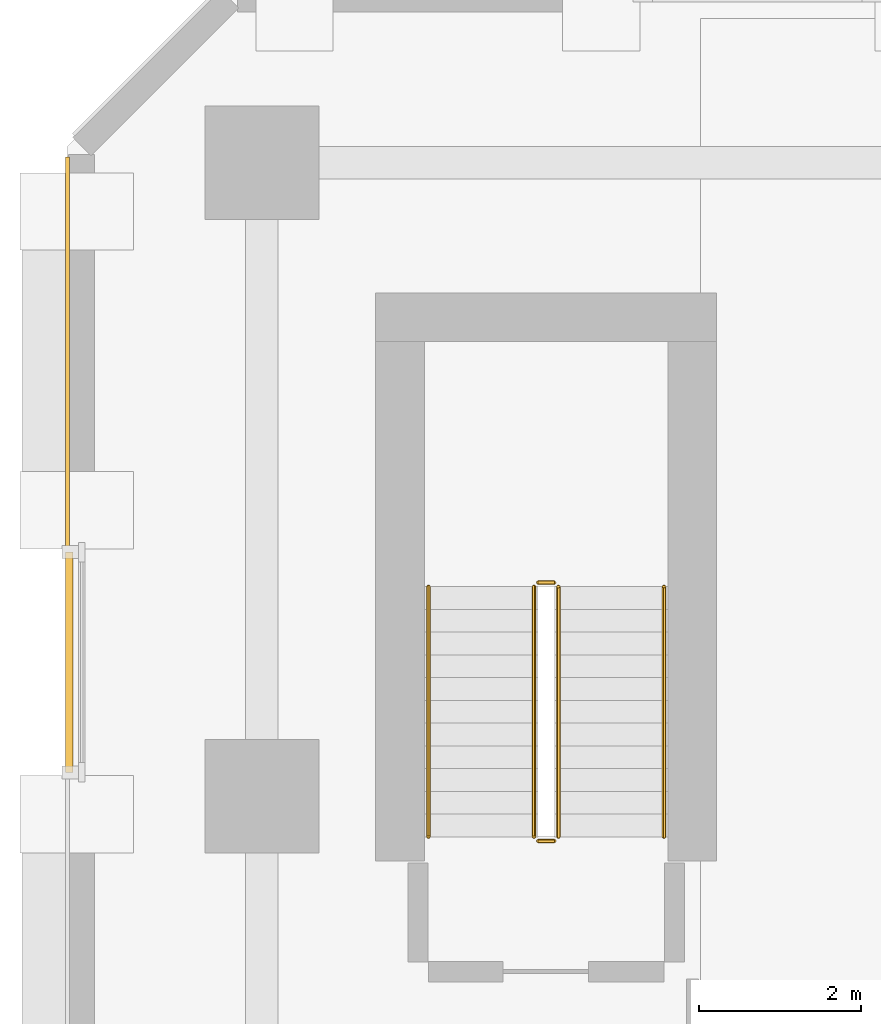
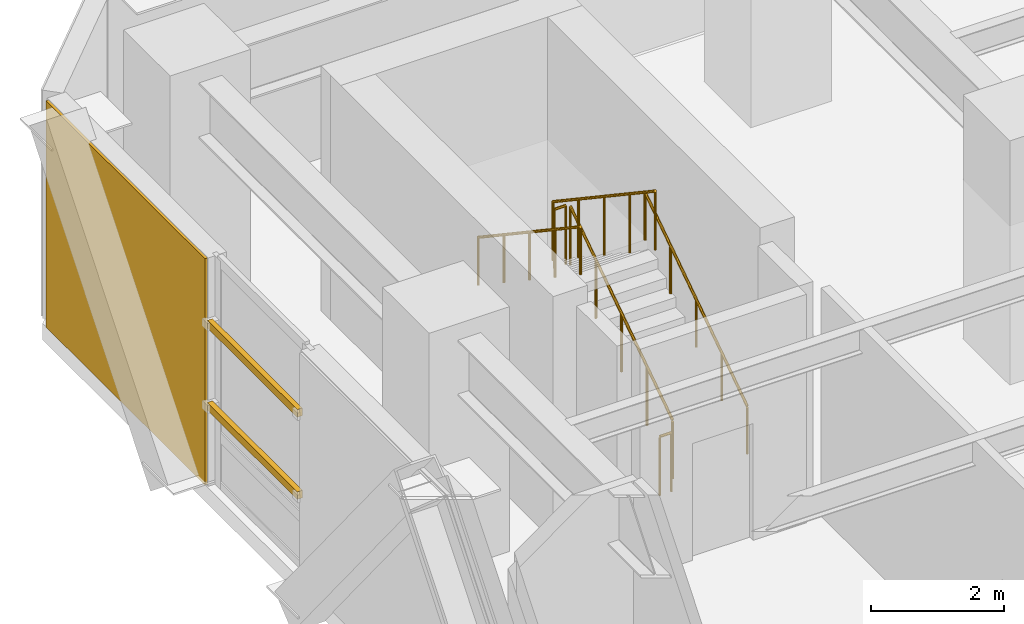
# One storey, part 24 of 26: 6 railings, 2 shading devices, 1 covering.
"""IFC4 building model written with IfcOpenShell, lengths in metres."""

from ifc_helpers import new_model, si_unit, direction, frame, origin, origin_2d, place, context, subcontext, project, spatial, polyline, rectangle, circle, outline, extrude, material, layer, layer_set, material_profile, profile_set, type_object, element, save


model = new_model("IFC4")

# Units and contexts
model_context = context("Model", 3, precision=1e-05, world=origin(), true_north=direction((0.0, 1.0)))
body_context = subcontext(model_context, "Body", "Model", "MODEL_VIEW")
ifc_project = project(units=[si_unit("LENGTHUNIT", "METRE"), si_unit("AREAUNIT", "SQUARE_METRE"), si_unit("VOLUMEUNIT", "CUBIC_METRE"), si_unit("PLANEANGLEUNIT", "RADIAN"), si_unit("MASSUNIT", "GRAM", prefix="KILO")], contexts=[model_context])

# Site, building, storey
site_placement = place(None, origin())
site = spatial("IfcSite", under=ifc_project, at=site_placement, CompositionType="ELEMENT")
building_placement = place(site_placement, origin())
building = spatial("IfcBuilding", under=site, at=building_placement, Name="Quenlor Broadcast Tower", CompositionType="ELEMENT")
storey_placement = place(building_placement, frame((0.0, 0.0, 14.0)))
storey = spatial("IfcBuildingStorey", under=building, at=storey_placement, Name="L03", CompositionType="ELEMENT", Elevation=14.0)

# Shading devices
ifc_material_1 = material(Name="Architectural Terracotta Ceramic", Category="masonry")
ifc_material_profile = material_profile(ifc_material_1, rectangle(XDim=0.090087890625, YDim=0.139892578125, at=origin_2d()))
ifc_profile_set = profile_set([ifc_material_profile], Name="Architectural Terracotta Ceramic BAG90x140")
shading_device_type = type_object("IfcShadingDeviceType", Name="Copper Terracotta Baguette Solar Screen 140", PredefinedType="USERDEFINED", material=ifc_profile_set)
for number, where, z_axis, x_axis, name in (
    (1, (-36.972900390625, 15.293701171875, 1.511962890625), (0.0, 1.0, 0.0), (-1.0, 0.0, 0.0), "L03 Terracotta Baguette Screen 1"),
    (2, (-36.972900390625, 15.293701171875, 3.02392578125), (0.0, 1.0, 0.0), (-1.0, 0.0, 0.0), "L03 Terracotta Baguette Screen 2"),
):
    element("IfcShadingDevice", number, at=place(storey_placement, frame(where, z_axis=z_axis, x_axis=x_axis)), inside=storey, type_object=shading_device_type, Name=name, ObjectType="BAGUETTE", PredefinedType="USERDEFINED", context=body_context, shape_type="SweptSolid", body=[
        extrude(rectangle(XDim=0.090087890625, YDim=0.139892578125, at=origin_2d()), origin(), (0.0, 0.0, 1.0), 2.712646484375),
    ])

# Covering
ifc_material_2 = material(Name="Architectural Terracotta Ceramic", Category="masonry")
ifc_layer = layer(ifc_material_2, 0.044921875)
ifc_layer_set = layer_set([ifc_layer], Name="Fluted Terracotta Rainscreen Cladding Panel")
covering_type = type_object("IfcCoveringType", Name="Fluted Terracotta Rainscreen Cladding Panel", PredefinedType="CLADDING", material=ifc_layer_set)
covering_placement = place(storey_placement, frame((0.0, 0.0, 0.02001953125)))
element("IfcCovering", 3, at=covering_placement, inside=storey, type_object=covering_type, Name="L03 Terracotta Rainscreen Cladding L03-W-FULL-SP5", PredefinedType="CLADDING", context=body_context, shape_type="SweptSolid", body=[
    extrude(outline(polyline([(-36.971923828125, 18.077392578125), (-36.971923828125, 22.8701171875), (-37.01708984375, 22.8701171875), (-37.01708984375, 18.077392578125), (-36.971923828125, 18.077392578125)])), origin(), (0.0, 0.0, 1.0), 4.159912109375),
])

# Railings
ifc_material_3 = material(Name="Anodised Aluminium", Category="aluminium")
railing_type_1 = type_object("IfcRailingType", Name="Stainless Aluminium Wall Handrail 900", PredefinedType="HANDRAIL", material=ifc_material_3)
railing_1_placement = place(storey_placement, frame((-29.64990234375, 14.5, 0.1875)))
element("IfcRailing", 4, at=railing_1_placement, inside=storey, type_object=railing_type_1, Name="L03 ST-3 stair handrail 1", PredefinedType="HANDRAIL", context=body_context, shape_type="SweptSolid", body=[
    extrude(circle(Radius=0.02392578125, at=origin_2d()), frame((0.0, 0.0, 0.8759765625), z_axis=(0.0, 0.830913701846, 0.55640131208), x_axis=(-1.0, 0.0, 0.0)), (0.0, 0.0, 1.0), 3.706787109375),
    extrude(circle(Radius=0.02099609375, at=origin_2d()), origin(), (0.0, 0.0, 1.0), 0.851806640625),
    extrude(circle(Radius=0.02099609375, at=origin_2d()), frame((0.0, 0.77001953125, 0.515625)), (0.0, 0.0, 1.0), 0.851806640625),
    extrude(circle(Radius=0.02099609375, at=origin_2d()), frame((0.0, 1.5400390625, 1.03125)), (0.0, 0.0, 1.0), 0.851806640625),
    extrude(circle(Radius=0.02099609375, at=origin_2d()), frame((0.0, 2.31005859375, 1.546875)), (0.0, 0.0, 1.0), 0.851806640625),
    extrude(circle(Radius=0.02099609375, at=origin_2d()), frame((0.0, 3.080078125, 2.0625)), (0.0, 0.0, 1.0), 0.851806640625),
])
railing_2_placement = place(storey_placement, frame((-32.550048828125, 17.580078125, 2.4375)))
element("IfcRailing", 5, at=railing_2_placement, inside=storey, type_object=railing_type_1, Name="L03 ST-3 stair handrail 2", PredefinedType="HANDRAIL", context=body_context, shape_type="SweptSolid", body=[
    extrude(circle(Radius=0.02392578125, at=origin_2d()), frame((0.0, 0.0, 0.8759765625), z_axis=(0.0, -0.830913701846, 0.55640131208), x_axis=(1.0, 0.0, 0.0)), (0.0, 0.0, 1.0), 3.706787109375),
    extrude(circle(Radius=0.02099609375, at=origin_2d()), origin(), (0.0, 0.0, 1.0), 0.851806640625),
    extrude(circle(Radius=0.02099609375, at=origin_2d()), frame((0.0, -0.77001953125, 0.515625)), (0.0, 0.0, 1.0), 0.851806640625),
    extrude(circle(Radius=0.02099609375, at=origin_2d()), frame((0.0, -1.5400390625, 1.03125)), (0.0, 0.0, 1.0), 0.851806640625),
    extrude(circle(Radius=0.02099609375, at=origin_2d()), frame((0.0, -2.31005859375, 1.546875)), (0.0, 0.0, 1.0), 0.851806640625),
    extrude(circle(Radius=0.02099609375, at=origin_2d()), frame((0.0, -3.080078125, 2.0625)), (0.0, 0.0, 1.0), 0.851806640625),
])
ifc_material_4 = material(Name="Steel S355", Category="steel")
railing_type_2 = type_object("IfcRailingType", Name="Tubular Steel S355 Stair Guardrail 1100", PredefinedType="BALUSTRADE", material=ifc_material_4)
railing_3_placement = place(storey_placement, frame((-30.949951171875, 14.5, 0.1875)))
element("IfcRailing", 6, at=railing_3_placement, inside=storey, type_object=railing_type_2, Name="L03 ST-3 stair guard 1", PredefinedType="BALUSTRADE", context=body_context, shape_type="SweptSolid", body=[
    extrude(circle(Radius=0.02392578125, at=origin_2d()), frame((0.0, 0.0, 1.076171875), z_axis=(0.0, 0.830913701846, 0.55640131208), x_axis=(-1.0, 0.0, 0.0)), (0.0, 0.0, 1.0), 3.706787109375),
    extrude(circle(Radius=0.02099609375, at=origin_2d()), origin(), (0.0, 0.0, 1.0), 1.052001953125),
    extrude(circle(Radius=0.02099609375, at=origin_2d()), frame((0.0, 0.77001953125, 0.515625)), (0.0, 0.0, 1.0), 1.052001953125),
    extrude(circle(Radius=0.02099609375, at=origin_2d()), frame((0.0, 1.5400390625, 1.03125)), (0.0, 0.0, 1.0), 1.052001953125),
    extrude(circle(Radius=0.02099609375, at=origin_2d()), frame((0.0, 2.31005859375, 1.546875)), (0.0, 0.0, 1.0), 1.052001953125),
    extrude(circle(Radius=0.02099609375, at=origin_2d()), frame((0.0, 3.080078125, 2.0625)), (0.0, 0.0, 1.0), 1.052001953125),
])
railing_4_placement = place(storey_placement, frame((-31.0, 17.6298828125, 2.25)))
element("IfcRailing", 7, at=railing_4_placement, inside=storey, type_object=railing_type_2, Name="L03 ST-3 stair guard 2", PredefinedType="BALUSTRADE", context=body_context, shape_type="SweptSolid", body=[
    extrude(circle(Radius=0.02392578125, at=origin_2d()), frame((0.0, 0.0, 1.076171875), z_axis=(-1.0, 0.0, 0.0), x_axis=(0.0, -1.0, 0.0)), (0.0, 0.0, 1.0), 0.199951171875),
    extrude(circle(Radius=0.02099609375, at=origin_2d()), origin(), (0.0, 0.0, 1.0), 1.052001953125),
    extrude(circle(Radius=0.02099609375, at=origin_2d()), frame((-0.199951171875, 0.0, 0.0)), (0.0, 0.0, 1.0), 1.052001953125),
])
railing_5_placement = place(storey_placement, frame((-31.25, 17.580078125, 2.4375)))
element("IfcRailing", 8, at=railing_5_placement, inside=storey, type_object=railing_type_2, Name="L03 ST-3 stair guard 3", PredefinedType="BALUSTRADE", context=body_context, shape_type="SweptSolid", body=[
    extrude(circle(Radius=0.02392578125, at=origin_2d()), frame((0.0, 0.0, 1.076171875), z_axis=(0.0, -0.830913701846, 0.55640131208), x_axis=(1.0, 0.0, 0.0)), (0.0, 0.0, 1.0), 3.706787109375),
    extrude(circle(Radius=0.02099609375, at=origin_2d()), origin(), (0.0, 0.0, 1.0), 1.052001953125),
    extrude(circle(Radius=0.02099609375, at=origin_2d()), frame((0.0, -0.77001953125, 0.515625)), (0.0, 0.0, 1.0), 1.052001953125),
    extrude(circle(Radius=0.02099609375, at=origin_2d()), frame((0.0, -1.5400390625, 1.03125)), (0.0, 0.0, 1.0), 1.052001953125),
    extrude(circle(Radius=0.02099609375, at=origin_2d()), frame((0.0, -2.31005859375, 1.546875)), (0.0, 0.0, 1.0), 1.052001953125),
    extrude(circle(Radius=0.02099609375, at=origin_2d()), frame((0.0, -3.080078125, 2.0625)), (0.0, 0.0, 1.0), 1.052001953125),
])
railing_6_placement = place(storey_placement, frame((-31.0, 14.449951171875, 0.0)))
element("IfcRailing", 9, at=railing_6_placement, inside=storey, type_object=railing_type_2, Name="L03 ST-3 stair guard 4", PredefinedType="BALUSTRADE", context=body_context, shape_type="SweptSolid", body=[
    extrude(circle(Radius=0.02392578125, at=origin_2d()), frame((0.0, 0.0, 1.076171875), z_axis=(-1.0, 0.0, 0.0), x_axis=(0.0, -1.0, 0.0)), (0.0, 0.0, 1.0), 0.199951171875),
    extrude(circle(Radius=0.02099609375, at=origin_2d()), origin(), (0.0, 0.0, 1.0), 1.052001953125),
    extrude(circle(Radius=0.02099609375, at=origin_2d()), frame((-0.199951171875, 0.0, 0.0)), (0.0, 0.0, 1.0), 1.052001953125),
])

save(model, "model.ifc")
